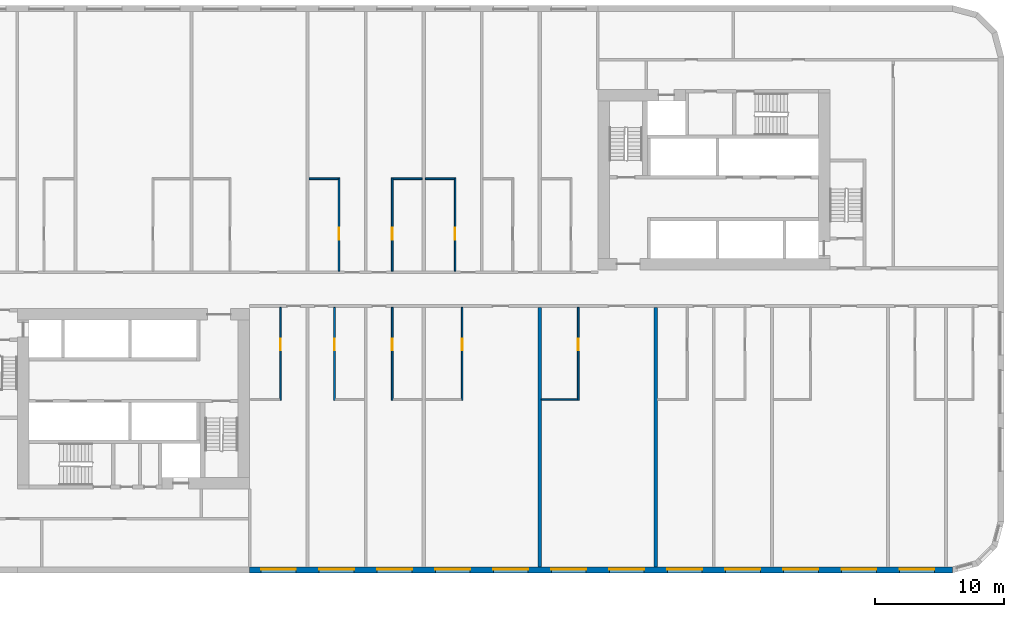
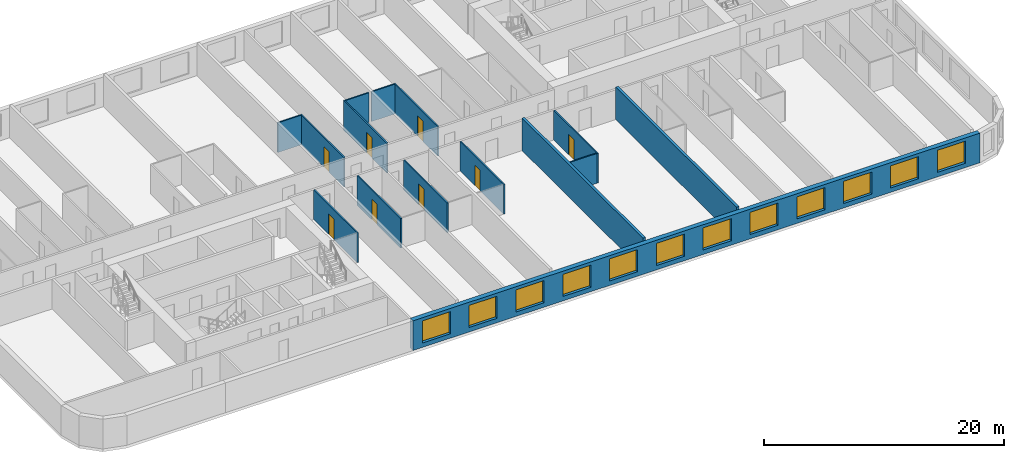
# One storey, part 4 of 12: 15 walls, 12 windows, 8 doors, 20 openings.
"""IFC4 building model written with IfcOpenShell, lengths in metres."""

from ifc_helpers import new_model, si_unit, direction, frame, frame_2d, origin, place, context, subcontext, project, spatial, rectangle, extrude, material, layer, layer_set, type_object, element, fill, save


model = new_model("IFC4")

# Units and contexts
model_context = context("Model", 3, precision=1e-05, world=origin(), true_north=direction((0.0, 1.0)))
body_context = subcontext(model_context, "Body", "Model", "MODEL_VIEW")
ifc_project = project(units=[si_unit("LENGTHUNIT", "METRE"), si_unit("AREAUNIT", "SQUARE_METRE"), si_unit("VOLUMEUNIT", "CUBIC_METRE"), si_unit("PLANEANGLEUNIT", "RADIAN"), si_unit("MASSUNIT", "GRAM", prefix="KILO")], contexts=[model_context])

# Site, building, storey
site_placement = place(None, origin())
site = spatial("IfcSite", under=ifc_project, at=site_placement, CompositionType="ELEMENT")
building_placement = place(site_placement, origin())
building = spatial("IfcBuilding", under=site, at=building_placement, Name="Kajstack Hotel Tower", CompositionType="ELEMENT")
storey_placement = place(building_placement, frame((0.0, 0.0, 73.199951171875)))
storey = spatial("IfcBuildingStorey", under=building, at=storey_placement, Name="L13", CompositionType="ELEMENT", Elevation=73.199951171875)

# Wall, openings, windows
ifc_material_1 = material(Name="Terracotta-faced brick masonry", Category="masonry")
ifc_layer_1 = layer(ifc_material_1, 0.449951171875)
ifc_layer_set_1 = layer_set([ifc_layer_1], Name="EW-TERRA")
wall_type_1 = type_object("IfcWallType", Name="EW-TERRA", PredefinedType="SOLIDWALL", material=ifc_layer_set_1)
wall_1_placement = place(storey_placement, frame((-13.5, -21.77490234375, 0.0), z_axis=(0.0, 0.0, 1.0), x_axis=(1.0, 0.0, 0.0)))
wall_1 = element("IfcWall", 1, at=wall_1_placement, inside=storey, type_object=wall_type_1, Name="E-wall-L13-03-02", PredefinedType="SOLIDWALL", context=body_context, shape_type="SweptSolid", body=[
    extrude(rectangle(XDim=54.5, YDim=0.449951171875, at=frame_2d((27.25, 0.0))), origin(), (0.0, 0.0, 1.0), 3.02001953125),
])
opening_1_placement = place(wall_1_placement, frame((0.89990234375, 0.0, 0.449951171875)))
opening_1 = element("IfcOpeningElement", 2, at=opening_1_placement, cuts=wall_1, Name="Opening W1", PredefinedType="OPENING", context=body_context, shape_type="SweptSolid", body=[
    extrude(rectangle(XDim=2.699951171875, YDim=2.25, at=frame_2d((1.35009765625, 1.125))), frame((0.0, 0.23486328125, 0.0), z_axis=(0.0, -1.0, 0.0), x_axis=(1.0, 0.0, 0.0)), (0.0, 0.0, 1.0), 0.469970703125),
])
opening_2_placement = place(wall_1_placement, frame((5.39990234375, 0.0, 0.449951171875)))
opening_2 = element("IfcOpeningElement", 3, at=opening_2_placement, cuts=wall_1, Name="Opening W1", PredefinedType="OPENING", context=body_context, shape_type="SweptSolid", body=[
    extrude(rectangle(XDim=2.699951171875, YDim=2.25, at=frame_2d((1.35009765625, 1.125))), frame((0.0, 0.23486328125, 0.0), z_axis=(0.0, -1.0, 0.0), x_axis=(1.0, 0.0, 0.0)), (0.0, 0.0, 1.0), 0.469970703125),
])
opening_3_placement = place(wall_1_placement, frame((9.89990234375, 0.0, 0.449951171875)))
opening_3 = element("IfcOpeningElement", 4, at=opening_3_placement, cuts=wall_1, Name="Opening W1", PredefinedType="OPENING", context=body_context, shape_type="SweptSolid", body=[
    extrude(rectangle(XDim=2.699951171875, YDim=2.25, at=frame_2d((1.35009765625, 1.125))), frame((0.0, 0.23486328125, 0.0), z_axis=(0.0, -1.0, 0.0), x_axis=(1.0, 0.0, 0.0)), (0.0, 0.0, 1.0), 0.469970703125),
])
opening_4_placement = place(wall_1_placement, frame((14.39990234375, 0.0, 0.449951171875)))
opening_4 = element("IfcOpeningElement", 5, at=opening_4_placement, cuts=wall_1, Name="Opening W1", PredefinedType="OPENING", context=body_context, shape_type="SweptSolid", body=[
    extrude(rectangle(XDim=2.699951171875, YDim=2.25, at=frame_2d((1.35009765625, 1.125))), frame((0.0, 0.23486328125, 0.0), z_axis=(0.0, -1.0, 0.0), x_axis=(1.0, 0.0, 0.0)), (0.0, 0.0, 1.0), 0.469970703125),
])
opening_5_placement = place(wall_1_placement, frame((18.89990234375, 0.0, 0.449951171875)))
opening_5 = element("IfcOpeningElement", 6, at=opening_5_placement, cuts=wall_1, Name="Opening W1", PredefinedType="OPENING", context=body_context, shape_type="SweptSolid", body=[
    extrude(rectangle(XDim=2.699951171875, YDim=2.25, at=frame_2d((1.35009765625, 1.125))), frame((0.0, 0.23486328125, 0.0), z_axis=(0.0, -1.0, 0.0), x_axis=(1.0, 0.0, 0.0)), (0.0, 0.0, 1.0), 0.469970703125),
])
opening_6_placement = place(wall_1_placement, frame((23.39990234375, 0.0, 0.449951171875)))
opening_6 = element("IfcOpeningElement", 7, at=opening_6_placement, cuts=wall_1, Name="Opening W1", PredefinedType="OPENING", context=body_context, shape_type="SweptSolid", body=[
    extrude(rectangle(XDim=2.699951171875, YDim=2.25, at=frame_2d((1.35009765625, 1.125))), frame((0.0, 0.23486328125, 0.0), z_axis=(0.0, -1.0, 0.0), x_axis=(1.0, 0.0, 0.0)), (0.0, 0.0, 1.0), 0.469970703125),
])
opening_7_placement = place(wall_1_placement, frame((27.89990234375, 0.0, 0.449951171875)))
opening_7 = element("IfcOpeningElement", 8, at=opening_7_placement, cuts=wall_1, Name="Opening W1", PredefinedType="OPENING", context=body_context, shape_type="SweptSolid", body=[
    extrude(rectangle(XDim=2.699951171875, YDim=2.25, at=frame_2d((1.35009765625, 1.125))), frame((0.0, 0.23486328125, 0.0), z_axis=(0.0, -1.0, 0.0), x_axis=(1.0, 0.0, 0.0)), (0.0, 0.0, 1.0), 0.469970703125),
])
opening_8_placement = place(wall_1_placement, frame((32.39990234375, 0.0, 0.449951171875)))
opening_8 = element("IfcOpeningElement", 9, at=opening_8_placement, cuts=wall_1, Name="Opening W1", PredefinedType="OPENING", context=body_context, shape_type="SweptSolid", body=[
    extrude(rectangle(XDim=2.699951171875, YDim=2.25, at=frame_2d((1.35009765625, 1.125))), frame((0.0, 0.23486328125, 0.0), z_axis=(0.0, -1.0, 0.0), x_axis=(1.0, 0.0, 0.0)), (0.0, 0.0, 1.0), 0.469970703125),
])
opening_9_placement = place(wall_1_placement, frame((36.89990234375, 0.0, 0.449951171875)))
opening_9 = element("IfcOpeningElement", 10, at=opening_9_placement, cuts=wall_1, Name="Opening W1", PredefinedType="OPENING", context=body_context, shape_type="SweptSolid", body=[
    extrude(rectangle(XDim=2.699951171875, YDim=2.25, at=frame_2d((1.35009765625, 1.125))), frame((0.0, 0.23486328125, 0.0), z_axis=(0.0, -1.0, 0.0), x_axis=(1.0, 0.0, 0.0)), (0.0, 0.0, 1.0), 0.469970703125),
])
opening_10_placement = place(wall_1_placement, frame((41.39990234375, 0.0, 0.449951171875)))
opening_10 = element("IfcOpeningElement", 11, at=opening_10_placement, cuts=wall_1, Name="Opening W1", PredefinedType="OPENING", context=body_context, shape_type="SweptSolid", body=[
    extrude(rectangle(XDim=2.699951171875, YDim=2.25, at=frame_2d((1.35009765625, 1.125))), frame((0.0, 0.23486328125, 0.0), z_axis=(0.0, -1.0, 0.0), x_axis=(1.0, 0.0, 0.0)), (0.0, 0.0, 1.0), 0.469970703125),
])
opening_11_placement = place(wall_1_placement, frame((45.89990234375, 0.0, 0.449951171875)))
opening_11 = element("IfcOpeningElement", 12, at=opening_11_placement, cuts=wall_1, Name="Opening W1", PredefinedType="OPENING", context=body_context, shape_type="SweptSolid", body=[
    extrude(rectangle(XDim=2.699951171875, YDim=2.25, at=frame_2d((1.35009765625, 1.125))), frame((0.0, 0.23486328125, 0.0), z_axis=(0.0, -1.0, 0.0), x_axis=(1.0, 0.0, 0.0)), (0.0, 0.0, 1.0), 0.469970703125),
])
opening_12_placement = place(wall_1_placement, frame((50.39990234375, 0.0, 0.449951171875)))
opening_12 = element("IfcOpeningElement", 13, at=opening_12_placement, cuts=wall_1, Name="Opening W1", PredefinedType="OPENING", context=body_context, shape_type="SweptSolid", body=[
    extrude(rectangle(XDim=2.699951171875, YDim=2.25, at=frame_2d((1.35009765625, 1.125))), frame((0.0, 0.23486328125, 0.0), z_axis=(0.0, -1.0, 0.0), x_axis=(1.0, 0.0, 0.0)), (0.0, 0.0, 1.0), 0.469970703125),
])
ifc_material_2 = material(Name="Timber-aluminium window, triple glazed", Category="wood")
window_type = type_object("IfcWindowType", Name="WG1", PartitioningType="SINGLE_PANEL", PredefinedType="WINDOW", material=ifc_material_2)
window_1_placement = place(opening_1_placement, origin())
window_1 = element("IfcWindow", 14, at=window_1_placement, inside=storey, type_object=window_type, Name="Window W1 L13-03", OverallHeight=2.25, OverallWidth=2.699951171875, PartitioningType="SINGLE_PANEL", PredefinedType="WINDOW", context=body_context, shape_type="SweptSolid", body=[
    extrude(rectangle(XDim=2.699951171875, YDim=2.25, at=frame_2d((1.35009765625, 1.125))), frame((0.0, 0.090087890625, 0.0), z_axis=(0.0, -1.0, 0.0), x_axis=(1.0, 0.0, 0.0)), (0.0, 0.0, 1.0), 0.06005859375),
])
fill(opening_1, window_1)
window_2_placement = place(opening_2_placement, origin())
window_2 = element("IfcWindow", 15, at=window_2_placement, inside=storey, type_object=window_type, Name="Window W1 L13-03", OverallHeight=2.25, OverallWidth=2.699951171875, PartitioningType="SINGLE_PANEL", PredefinedType="WINDOW", context=body_context, shape_type="SweptSolid", body=[
    extrude(rectangle(XDim=2.699951171875, YDim=2.25, at=frame_2d((1.35009765625, 1.125))), frame((0.0, 0.090087890625, 0.0), z_axis=(0.0, -1.0, 0.0), x_axis=(1.0, 0.0, 0.0)), (0.0, 0.0, 1.0), 0.06005859375),
])
fill(opening_2, window_2)
window_3_placement = place(opening_3_placement, origin())
window_3 = element("IfcWindow", 16, at=window_3_placement, inside=storey, type_object=window_type, Name="Window W1 L13-03", OverallHeight=2.25, OverallWidth=2.699951171875, PartitioningType="SINGLE_PANEL", PredefinedType="WINDOW", context=body_context, shape_type="SweptSolid", body=[
    extrude(rectangle(XDim=2.699951171875, YDim=2.25, at=frame_2d((1.35009765625, 1.125))), frame((0.0, 0.090087890625, 0.0), z_axis=(0.0, -1.0, 0.0), x_axis=(1.0, 0.0, 0.0)), (0.0, 0.0, 1.0), 0.06005859375),
])
fill(opening_3, window_3)
window_4_placement = place(opening_4_placement, origin())
window_4 = element("IfcWindow", 17, at=window_4_placement, inside=storey, type_object=window_type, Name="Window W1 L13-03", OverallHeight=2.25, OverallWidth=2.699951171875, PartitioningType="SINGLE_PANEL", PredefinedType="WINDOW", context=body_context, shape_type="SweptSolid", body=[
    extrude(rectangle(XDim=2.699951171875, YDim=2.25, at=frame_2d((1.35009765625, 1.125))), frame((0.0, 0.090087890625, 0.0), z_axis=(0.0, -1.0, 0.0), x_axis=(1.0, 0.0, 0.0)), (0.0, 0.0, 1.0), 0.06005859375),
])
fill(opening_4, window_4)
window_5_placement = place(opening_5_placement, origin())
window_5 = element("IfcWindow", 18, at=window_5_placement, inside=storey, type_object=window_type, Name="Window W1 L13-03", OverallHeight=2.25, OverallWidth=2.699951171875, PartitioningType="SINGLE_PANEL", PredefinedType="WINDOW", context=body_context, shape_type="SweptSolid", body=[
    extrude(rectangle(XDim=2.699951171875, YDim=2.25, at=frame_2d((1.35009765625, 1.125))), frame((0.0, 0.090087890625, 0.0), z_axis=(0.0, -1.0, 0.0), x_axis=(1.0, 0.0, 0.0)), (0.0, 0.0, 1.0), 0.06005859375),
])
fill(opening_5, window_5)
window_6_placement = place(opening_6_placement, origin())
window_6 = element("IfcWindow", 19, at=window_6_placement, inside=storey, type_object=window_type, Name="Window W1 L13-03", OverallHeight=2.25, OverallWidth=2.699951171875, PartitioningType="SINGLE_PANEL", PredefinedType="WINDOW", context=body_context, shape_type="SweptSolid", body=[
    extrude(rectangle(XDim=2.699951171875, YDim=2.25, at=frame_2d((1.35009765625, 1.125))), frame((0.0, 0.090087890625, 0.0), z_axis=(0.0, -1.0, 0.0), x_axis=(1.0, 0.0, 0.0)), (0.0, 0.0, 1.0), 0.06005859375),
])
fill(opening_6, window_6)
window_7_placement = place(opening_7_placement, origin())
window_7 = element("IfcWindow", 20, at=window_7_placement, inside=storey, type_object=window_type, Name="Window W1 L13-03", OverallHeight=2.25, OverallWidth=2.699951171875, PartitioningType="SINGLE_PANEL", PredefinedType="WINDOW", context=body_context, shape_type="SweptSolid", body=[
    extrude(rectangle(XDim=2.699951171875, YDim=2.25, at=frame_2d((1.35009765625, 1.125))), frame((0.0, 0.090087890625, 0.0), z_axis=(0.0, -1.0, 0.0), x_axis=(1.0, 0.0, 0.0)), (0.0, 0.0, 1.0), 0.06005859375),
])
fill(opening_7, window_7)
window_8_placement = place(opening_8_placement, origin())
window_8 = element("IfcWindow", 21, at=window_8_placement, inside=storey, type_object=window_type, Name="Window W1 L13-03", OverallHeight=2.25, OverallWidth=2.699951171875, PartitioningType="SINGLE_PANEL", PredefinedType="WINDOW", context=body_context, shape_type="SweptSolid", body=[
    extrude(rectangle(XDim=2.699951171875, YDim=2.25, at=frame_2d((1.35009765625, 1.125))), frame((0.0, 0.090087890625, 0.0), z_axis=(0.0, -1.0, 0.0), x_axis=(1.0, 0.0, 0.0)), (0.0, 0.0, 1.0), 0.06005859375),
])
fill(opening_8, window_8)
window_9_placement = place(opening_9_placement, origin())
window_9 = element("IfcWindow", 22, at=window_9_placement, inside=storey, type_object=window_type, Name="Window W1 L13-03", OverallHeight=2.25, OverallWidth=2.699951171875, PartitioningType="SINGLE_PANEL", PredefinedType="WINDOW", context=body_context, shape_type="SweptSolid", body=[
    extrude(rectangle(XDim=2.699951171875, YDim=2.25, at=frame_2d((1.35009765625, 1.125))), frame((0.0, 0.090087890625, 0.0), z_axis=(0.0, -1.0, 0.0), x_axis=(1.0, 0.0, 0.0)), (0.0, 0.0, 1.0), 0.06005859375),
])
fill(opening_9, window_9)
window_10_placement = place(opening_10_placement, origin())
window_10 = element("IfcWindow", 23, at=window_10_placement, inside=storey, type_object=window_type, Name="Window W1 L13-03", OverallHeight=2.25, OverallWidth=2.699951171875, PartitioningType="SINGLE_PANEL", PredefinedType="WINDOW", context=body_context, shape_type="SweptSolid", body=[
    extrude(rectangle(XDim=2.699951171875, YDim=2.25, at=frame_2d((1.35009765625, 1.125))), frame((0.0, 0.090087890625, 0.0), z_axis=(0.0, -1.0, 0.0), x_axis=(1.0, 0.0, 0.0)), (0.0, 0.0, 1.0), 0.06005859375),
])
fill(opening_10, window_10)
window_11_placement = place(opening_11_placement, origin())
window_11 = element("IfcWindow", 24, at=window_11_placement, inside=storey, type_object=window_type, Name="Window W1 L13-03", OverallHeight=2.25, OverallWidth=2.699951171875, PartitioningType="SINGLE_PANEL", PredefinedType="WINDOW", context=body_context, shape_type="SweptSolid", body=[
    extrude(rectangle(XDim=2.699951171875, YDim=2.25, at=frame_2d((1.35009765625, 1.125))), frame((0.0, 0.090087890625, 0.0), z_axis=(0.0, -1.0, 0.0), x_axis=(1.0, 0.0, 0.0)), (0.0, 0.0, 1.0), 0.06005859375),
])
fill(opening_11, window_11)
window_12_placement = place(opening_12_placement, origin())
window_12 = element("IfcWindow", 25, at=window_12_placement, inside=storey, type_object=window_type, Name="Window W1 L13-03", OverallHeight=2.25, OverallWidth=2.699951171875, PartitioningType="SINGLE_PANEL", PredefinedType="WINDOW", context=body_context, shape_type="SweptSolid", body=[
    extrude(rectangle(XDim=2.699951171875, YDim=2.25, at=frame_2d((1.35009765625, 1.125))), frame((0.0, 0.090087890625, 0.0), z_axis=(0.0, -1.0, 0.0), x_axis=(1.0, 0.0, 0.0)), (0.0, 0.0, 1.0), 0.06005859375),
])
fill(opening_12, window_12)

# Wall, opening, door
ifc_material_3 = material(Name="Gypsum board and tiled backer on steel studs", Category="steel")
ifc_layer_2 = layer(ifc_material_3, 0.125)
ifc_layer_set_2 = layer_set([ifc_layer_2], Name="En-suite wall 125")
wall_type_2 = type_object("IfcWallType", Name="En-suite wall 125", PredefinedType="PARTITIONING", material=ifc_layer_set_2)
wall_2_placement = place(storey_placement, frame((-6.56201171875, 1.39990234375, 0.0), z_axis=(0.0, 0.0, 1.0), x_axis=(0.0, 1.0, 0.0)))
wall_2 = element("IfcWall", 26, at=wall_2_placement, inside=storey, type_object=wall_type_2, Name="G-wall-L13-018", PredefinedType="PARTITIONING", context=body_context, shape_type="SweptSolid", body=[
    extrude(rectangle(XDim=7.22509765625, YDim=0.125, at=frame_2d((3.612548828125, 0.0))), origin(), (0.0, 0.0, 1.0), 3.02001953125),
])
opening_13_placement = place(wall_2_placement, frame((2.449951171875, 0.0, 0.0)))
opening_13 = element("IfcOpeningElement", 27, at=opening_13_placement, cuts=wall_2, Name="Opening 13014", PredefinedType="OPENING", context=body_context, shape_type="SweptSolid", body=[
    extrude(rectangle(XDim=0.89990234375, YDim=2.10009765625, at=frame_2d((0.449951171875, 1.050048828125))), frame((0.0, 0.072509765625, 0.0), z_axis=(0.0, -1.0, 0.0), x_axis=(1.0, 0.0, 0.0)), (0.0, 0.0, 1.0), 0.14501953125),
])
ifc_material_4 = material(Name="Painted timber door leaf", Category="wood")
door_type = type_object("IfcDoorType", Name="Room door 900", OperationType="SINGLE_SWING_LEFT", PredefinedType="DOOR", material=ifc_material_4)
door_1_placement = place(opening_13_placement, origin())
door_1 = element("IfcDoor", 28, at=door_1_placement, inside=storey, type_object=door_type, Name="G-door-L13-14", OperationType="SINGLE_SWING_LEFT", OverallHeight=2.10009765625, OverallWidth=0.89990234375, PredefinedType="DOOR", context=body_context, shape_type="SweptSolid", body=[
    extrude(rectangle(XDim=0.89990234375, YDim=2.10009765625, at=frame_2d((0.449951171875, 1.050048828125))), frame((0.0, 0.02490234375, 0.0), z_axis=(0.0, -1.0, 0.0), x_axis=(1.0, 0.0, 0.0)), (0.0, 0.0, 1.0), 0.050048828125),
])
fill(opening_13, door_1)

# Wall
wall_3_placement = place(storey_placement, frame((-8.875, 8.56201171875, 0.0), z_axis=(0.0, 0.0, 1.0), x_axis=(1.0, 0.0, 0.0)))
element("IfcWall", 29, at=wall_3_placement, inside=storey, type_object=wall_type_2, Name="G-wall-L13-019", PredefinedType="PARTITIONING", context=body_context, shape_type="SweptSolid", body=[
    extrude(rectangle(XDim=2.25, YDim=0.125, at=frame_2d((1.125, 0.0))), origin(), (0.0, 0.0, 1.0), 3.02001953125),
])

# Wall, opening, door
wall_4_placement = place(storey_placement, frame((-2.43798828125, 1.39990234375, 0.0), z_axis=(0.0, 0.0, 1.0), x_axis=(0.0, 1.0, 0.0)))
wall_4 = element("IfcWall", 30, at=wall_4_placement, inside=storey, type_object=wall_type_2, Name="G-wall-L13-020", PredefinedType="PARTITIONING", context=body_context, shape_type="SweptSolid", body=[
    extrude(rectangle(XDim=7.22509765625, YDim=0.125, at=frame_2d((3.612548828125, 0.0))), origin(), (0.0, 0.0, 1.0), 3.02001953125),
])
opening_14_placement = place(wall_4_placement, frame((2.449951171875, 0.0, 0.0)))
opening_14 = element("IfcOpeningElement", 31, at=opening_14_placement, cuts=wall_4, Name="Opening 13016", PredefinedType="OPENING", context=body_context, shape_type="SweptSolid", body=[
    extrude(rectangle(XDim=0.89990234375, YDim=2.10009765625, at=frame_2d((0.449951171875, 1.050048828125))), frame((0.0, 0.072509765625, 0.0), z_axis=(0.0, -1.0, 0.0), x_axis=(1.0, 0.0, 0.0)), (0.0, 0.0, 1.0), 0.14501953125),
])
door_2_placement = place(opening_14_placement, origin())
door_2 = element("IfcDoor", 32, at=door_2_placement, inside=storey, type_object=door_type, Name="G-door-L13-16", OperationType="SINGLE_SWING_LEFT", OverallHeight=2.10009765625, OverallWidth=0.89990234375, PredefinedType="DOOR", context=body_context, shape_type="SweptSolid", body=[
    extrude(rectangle(XDim=0.89990234375, YDim=2.10009765625, at=frame_2d((0.449951171875, 1.050048828125))), frame((0.0, 0.02490234375, 0.0), z_axis=(0.0, -1.0, 0.0), x_axis=(1.0, 0.0, 0.0)), (0.0, 0.0, 1.0), 0.050048828125),
])
fill(opening_14, door_2)

# Wall
wall_5_placement = place(storey_placement, frame((-2.375, 8.56201171875, 0.0), z_axis=(0.0, 0.0, 1.0), x_axis=(1.0, 0.0, 0.0)))
element("IfcWall", 33, at=wall_5_placement, inside=storey, type_object=wall_type_2, Name="G-wall-L13-021", PredefinedType="PARTITIONING", context=body_context, shape_type="SweptSolid", body=[
    extrude(rectangle(XDim=2.25, YDim=0.125, at=frame_2d((1.125, 0.0))), origin(), (0.0, 0.0, 1.0), 3.02001953125),
])

# Wall, opening, door
wall_6_placement = place(storey_placement, frame((2.43798828125, 1.39990234375, 0.0), z_axis=(0.0, 0.0, 1.0), x_axis=(0.0, 1.0, 0.0)))
wall_6 = element("IfcWall", 34, at=wall_6_placement, inside=storey, type_object=wall_type_2, Name="G-wall-L13-023", PredefinedType="PARTITIONING", context=body_context, shape_type="SweptSolid", body=[
    extrude(rectangle(XDim=7.22509765625, YDim=0.125, at=frame_2d((3.612548828125, 0.0))), origin(), (0.0, 0.0, 1.0), 3.02001953125),
])
opening_15_placement = place(wall_6_placement, frame((2.449951171875, 0.0, 0.0)))
opening_15 = element("IfcOpeningElement", 35, at=opening_15_placement, cuts=wall_6, Name="Opening 13018", PredefinedType="OPENING", context=body_context, shape_type="SweptSolid", body=[
    extrude(rectangle(XDim=0.89990234375, YDim=2.10009765625, at=frame_2d((0.449951171875, 1.050048828125))), frame((0.0, 0.072509765625, 0.0), z_axis=(0.0, -1.0, 0.0), x_axis=(1.0, 0.0, 0.0)), (0.0, 0.0, 1.0), 0.14501953125),
])
door_3_placement = place(opening_15_placement, origin())
door_3 = element("IfcDoor", 36, at=door_3_placement, inside=storey, type_object=door_type, Name="G-door-L13-18", OperationType="SINGLE_SWING_RIGHT", OverallHeight=2.10009765625, OverallWidth=0.89990234375, PredefinedType="DOOR", context=body_context, shape_type="SweptSolid", body=[
    extrude(rectangle(XDim=0.89990234375, YDim=2.10009765625, at=frame_2d((0.449951171875, 1.050048828125))), frame((0.0, 0.02490234375, 0.0), z_axis=(0.0, -1.0, 0.0), x_axis=(1.0, 0.0, 0.0)), (0.0, 0.0, 1.0), 0.050048828125),
])
fill(opening_15, door_3)

# Wall
wall_7_placement = place(storey_placement, frame((0.125, 8.56201171875, 0.0), z_axis=(0.0, 0.0, 1.0), x_axis=(1.0, 0.0, 0.0)))
element("IfcWall", 37, at=wall_7_placement, inside=storey, type_object=wall_type_2, Name="G-wall-L13-024", PredefinedType="PARTITIONING", context=body_context, shape_type="SweptSolid", body=[
    extrude(rectangle(XDim=2.25, YDim=0.125, at=frame_2d((1.125, 0.0))), origin(), (0.0, 0.0, 1.0), 3.02001953125),
])

# Wall, opening, door
wall_8_placement = place(storey_placement, frame((-11.087890625, -8.625, 0.0), z_axis=(0.0, 0.0, 1.0), x_axis=(0.0, 1.0, 0.0)))
wall_8 = element("IfcWall", 38, at=wall_8_placement, inside=storey, type_object=wall_type_2, Name="G-wall-L13-030", PredefinedType="PARTITIONING", context=body_context, shape_type="SweptSolid", body=[
    extrude(rectangle(XDim=7.22509765625, YDim=0.125, at=frame_2d((3.612548828125, 0.0))), origin(), (0.0, 0.0, 1.0), 3.02001953125),
])
opening_16_placement = place(wall_8_placement, frame((3.875, 0.0, 0.0)))
opening_16 = element("IfcOpeningElement", 39, at=opening_16_placement, cuts=wall_8, Name="Opening 13024", PredefinedType="OPENING", context=body_context, shape_type="SweptSolid", body=[
    extrude(rectangle(XDim=0.89990234375, YDim=2.10009765625, at=frame_2d((0.449951171875, 1.050048828125))), frame((0.0, 0.072509765625, 0.0), z_axis=(0.0, -1.0, 0.0), x_axis=(1.0, 0.0, 0.0)), (0.0, 0.0, 1.0), 0.14501953125),
])
door_4_placement = place(opening_16_placement, origin())
door_4 = element("IfcDoor", 40, at=door_4_placement, inside=storey, type_object=door_type, Name="G-door-L13-24", OperationType="SINGLE_SWING_LEFT", OverallHeight=2.10009765625, OverallWidth=0.89990234375, PredefinedType="DOOR", context=body_context, shape_type="SweptSolid", body=[
    extrude(rectangle(XDim=0.89990234375, YDim=2.10009765625, at=frame_2d((0.449951171875, 1.050048828125))), frame((0.0, 0.02490234375, 0.0), z_axis=(0.0, -1.0, 0.0), x_axis=(1.0, 0.0, 0.0)), (0.0, 0.0, 1.0), 0.050048828125),
])
fill(opening_16, door_4)

wall_9_placement = place(storey_placement, frame((-6.912109375, -8.625, 0.0), z_axis=(0.0, 0.0, 1.0), x_axis=(0.0, 1.0, 0.0)))
wall_9 = element("IfcWall", 41, at=wall_9_placement, inside=storey, type_object=wall_type_2, Name="G-wall-L13-033", PredefinedType="PARTITIONING", context=body_context, shape_type="SweptSolid", body=[
    extrude(rectangle(XDim=7.22509765625, YDim=0.125, at=frame_2d((3.612548828125, 0.0))), origin(), (0.0, 0.0, 1.0), 3.02001953125),
])
opening_17_placement = place(wall_9_placement, frame((3.875, 0.0, 0.0)))
opening_17 = element("IfcOpeningElement", 42, at=opening_17_placement, cuts=wall_9, Name="Opening 13026", PredefinedType="OPENING", context=body_context, shape_type="SweptSolid", body=[
    extrude(rectangle(XDim=0.89990234375, YDim=2.10009765625, at=frame_2d((0.449951171875, 1.050048828125))), frame((0.0, 0.072509765625, 0.0), z_axis=(0.0, -1.0, 0.0), x_axis=(1.0, 0.0, 0.0)), (0.0, 0.0, 1.0), 0.14501953125),
])
door_5_placement = place(opening_17_placement, origin())
door_5 = element("IfcDoor", 43, at=door_5_placement, inside=storey, type_object=door_type, Name="G-door-L13-26", OperationType="SINGLE_SWING_RIGHT", OverallHeight=2.10009765625, OverallWidth=0.89990234375, PredefinedType="DOOR", context=body_context, shape_type="SweptSolid", body=[
    extrude(rectangle(XDim=0.89990234375, YDim=2.10009765625, at=frame_2d((0.449951171875, 1.050048828125))), frame((0.0, 0.02490234375, 0.0), z_axis=(0.0, -1.0, 0.0), x_axis=(1.0, 0.0, 0.0)), (0.0, 0.0, 1.0), 0.050048828125),
])
fill(opening_17, door_5)

wall_10_placement = place(storey_placement, frame((-2.43798828125, -8.625, 0.0), z_axis=(0.0, 0.0, 1.0), x_axis=(0.0, 1.0, 0.0)))
wall_10 = element("IfcWall", 44, at=wall_10_placement, inside=storey, type_object=wall_type_2, Name="G-wall-L13-035", PredefinedType="PARTITIONING", context=body_context, shape_type="SweptSolid", body=[
    extrude(rectangle(XDim=7.22509765625, YDim=0.125, at=frame_2d((3.612548828125, 0.0))), origin(), (0.0, 0.0, 1.0), 3.02001953125),
])
opening_18_placement = place(wall_10_placement, frame((3.875, 0.0, 0.0)))
opening_18 = element("IfcOpeningElement", 45, at=opening_18_placement, cuts=wall_10, Name="Opening 13028", PredefinedType="OPENING", context=body_context, shape_type="SweptSolid", body=[
    extrude(rectangle(XDim=0.89990234375, YDim=2.10009765625, at=frame_2d((0.449951171875, 1.050048828125))), frame((0.0, 0.072509765625, 0.0), z_axis=(0.0, -1.0, 0.0), x_axis=(1.0, 0.0, 0.0)), (0.0, 0.0, 1.0), 0.14501953125),
])
door_6_placement = place(opening_18_placement, origin())
door_6 = element("IfcDoor", 46, at=door_6_placement, inside=storey, type_object=door_type, Name="G-door-L13-28", OperationType="SINGLE_SWING_RIGHT", OverallHeight=2.10009765625, OverallWidth=0.89990234375, PredefinedType="DOOR", context=body_context, shape_type="SweptSolid", body=[
    extrude(rectangle(XDim=0.89990234375, YDim=2.10009765625, at=frame_2d((0.449951171875, 1.050048828125))), frame((0.0, 0.02490234375, 0.0), z_axis=(0.0, -1.0, 0.0), x_axis=(1.0, 0.0, 0.0)), (0.0, 0.0, 1.0), 0.050048828125),
])
fill(opening_18, door_6)

wall_11_placement = place(storey_placement, frame((2.987060546875, -8.625, 0.0), z_axis=(0.0, 0.0, 1.0), x_axis=(0.0, 1.0, 0.0)))
wall_11 = element("IfcWall", 47, at=wall_11_placement, inside=storey, type_object=wall_type_2, Name="G-wall-L13-037", PredefinedType="PARTITIONING", context=body_context, shape_type="SweptSolid", body=[
    extrude(rectangle(XDim=7.22509765625, YDim=0.125, at=frame_2d((3.612548828125, 0.0))), origin(), (0.0, 0.0, 1.0), 3.02001953125),
])
opening_19_placement = place(wall_11_placement, frame((3.875, 0.0, 0.0)))
opening_19 = element("IfcOpeningElement", 48, at=opening_19_placement, cuts=wall_11, Name="Opening 13030", PredefinedType="OPENING", context=body_context, shape_type="SweptSolid", body=[
    extrude(rectangle(XDim=0.89990234375, YDim=2.10009765625, at=frame_2d((0.449951171875, 1.050048828125))), frame((0.0, 0.072509765625, 0.0), z_axis=(0.0, -1.0, 0.0), x_axis=(1.0, 0.0, 0.0)), (0.0, 0.0, 1.0), 0.14501953125),
])
door_7_placement = place(opening_19_placement, origin())
door_7 = element("IfcDoor", 49, at=door_7_placement, inside=storey, type_object=door_type, Name="G-door-L13-30", OperationType="SINGLE_SWING_LEFT", OverallHeight=2.10009765625, OverallWidth=0.89990234375, PredefinedType="DOOR", context=body_context, shape_type="SweptSolid", body=[
    extrude(rectangle(XDim=0.89990234375, YDim=2.10009765625, at=frame_2d((0.449951171875, 1.050048828125))), frame((0.0, 0.02490234375, 0.0), z_axis=(0.0, -1.0, 0.0), x_axis=(1.0, 0.0, 0.0)), (0.0, 0.0, 1.0), 0.050048828125),
])
fill(opening_19, door_7)

wall_12_placement = place(storey_placement, frame((11.988037109375, -8.625, 0.0), z_axis=(0.0, 0.0, 1.0), x_axis=(0.0, 1.0, 0.0)))
wall_12 = element("IfcWall", 50, at=wall_12_placement, inside=storey, type_object=wall_type_2, Name="G-wall-L13-039", PredefinedType="PARTITIONING", context=body_context, shape_type="SweptSolid", body=[
    extrude(rectangle(XDim=7.22509765625, YDim=0.125, at=frame_2d((3.612548828125, 0.0))), origin(), (0.0, 0.0, 1.0), 3.02001953125),
])
opening_20_placement = place(wall_12_placement, frame((3.875, 0.0, 0.0)))
opening_20 = element("IfcOpeningElement", 51, at=opening_20_placement, cuts=wall_12, Name="Opening 13032", PredefinedType="OPENING", context=body_context, shape_type="SweptSolid", body=[
    extrude(rectangle(XDim=0.89990234375, YDim=2.10009765625, at=frame_2d((0.449951171875, 1.050048828125))), frame((0.0, 0.072509765625, 0.0), z_axis=(0.0, -1.0, 0.0), x_axis=(1.0, 0.0, 0.0)), (0.0, 0.0, 1.0), 0.14501953125),
])
door_8_placement = place(opening_20_placement, origin())
door_8 = element("IfcDoor", 52, at=door_8_placement, inside=storey, type_object=door_type, Name="G-door-L13-32", OperationType="SINGLE_SWING_RIGHT", OverallHeight=2.10009765625, OverallWidth=0.89990234375, PredefinedType="DOOR", context=body_context, shape_type="SweptSolid", body=[
    extrude(rectangle(XDim=0.89990234375, YDim=2.10009765625, at=frame_2d((0.449951171875, 1.050048828125))), frame((0.0, 0.02490234375, 0.0), z_axis=(0.0, -1.0, 0.0), x_axis=(1.0, 0.0, 0.0)), (0.0, 0.0, 1.0), 0.050048828125),
])
fill(opening_20, door_8)

# Walls
wall_13_placement = place(storey_placement, frame((9.125, -8.56201171875, 0.0), z_axis=(0.0, 0.0, 1.0), x_axis=(1.0, 0.0, 0.0)))
element("IfcWall", 53, at=wall_13_placement, inside=storey, type_object=wall_type_2, Name="G-wall-L13-040", PredefinedType="PARTITIONING", context=body_context, shape_type="SweptSolid", body=[
    extrude(rectangle(XDim=2.800048828125, YDim=0.125, at=frame_2d((1.39990234375, 0.0))), origin(), (0.0, 0.0, 1.0), 3.02001953125),
])
ifc_material_5 = material(Name="Concrete C60/75", Category="concrete")
ifc_layer_3 = layer(ifc_material_5, 0.25)
ifc_layer_set_3 = layer_set([ifc_layer_3], Name="RC cross wall 250 C60/75")
wall_type_3 = type_object("IfcWallType", Name="RC cross wall 250 C60/75", PredefinedType="SHEAR", material=ifc_layer_set_3)
for number, where, z_axis, x_axis, name in (
    (54, (9.0, -21.5400390625, 0.0), (0.0, 0.0, 1.0), (0.0, 1.0, 0.0), "S-wall-L13-09"),
    (55, (18.0, -21.5400390625, 0.0), (0.0, 0.0, 1.0), (0.0, 1.0, 0.0), "S-wall-L13-11"),
):
    element("IfcWall", number, at=place(storey_placement, frame(where, z_axis=z_axis, x_axis=x_axis)), inside=storey, type_object=wall_type_3, Name=name, PredefinedType="SHEAR", context=body_context, shape_type="SweptSolid", body=[
        extrude(rectangle(XDim=20.14013671875, YDim=0.25, at=frame_2d((10.070068359375, 0.0))), origin(), (0.0, 0.0, 1.0), 3.300048828125),
    ])

save(model, "model.ifc")
